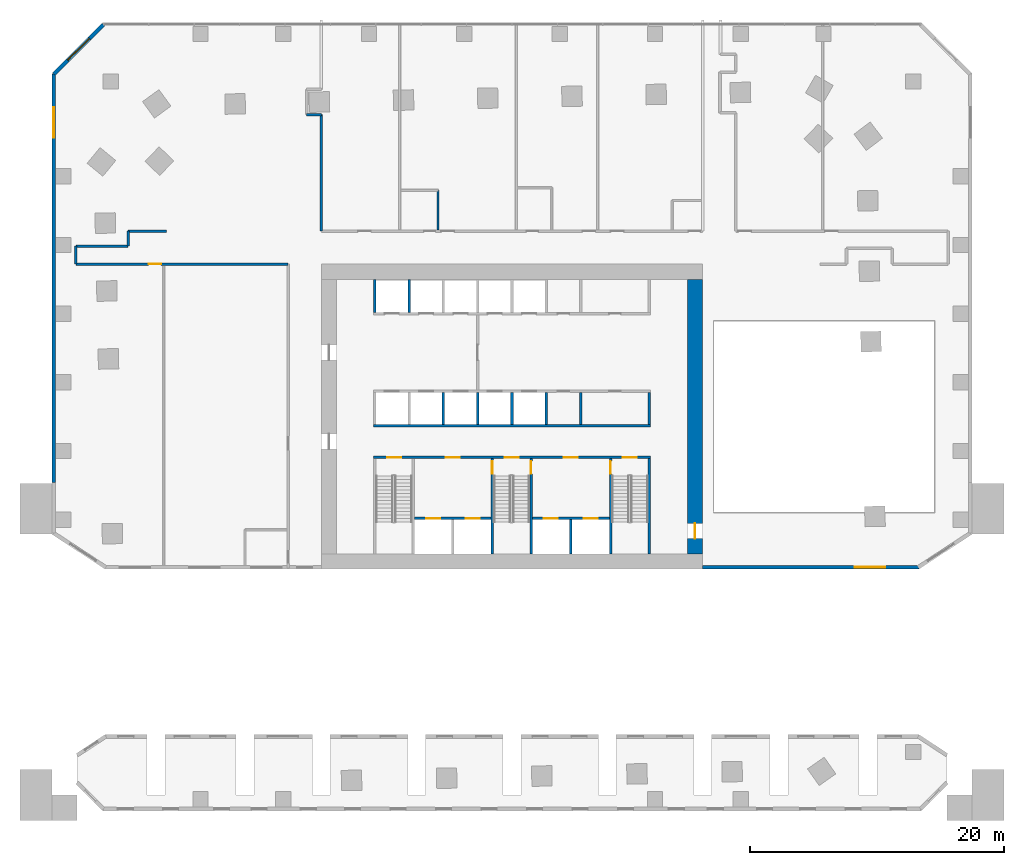
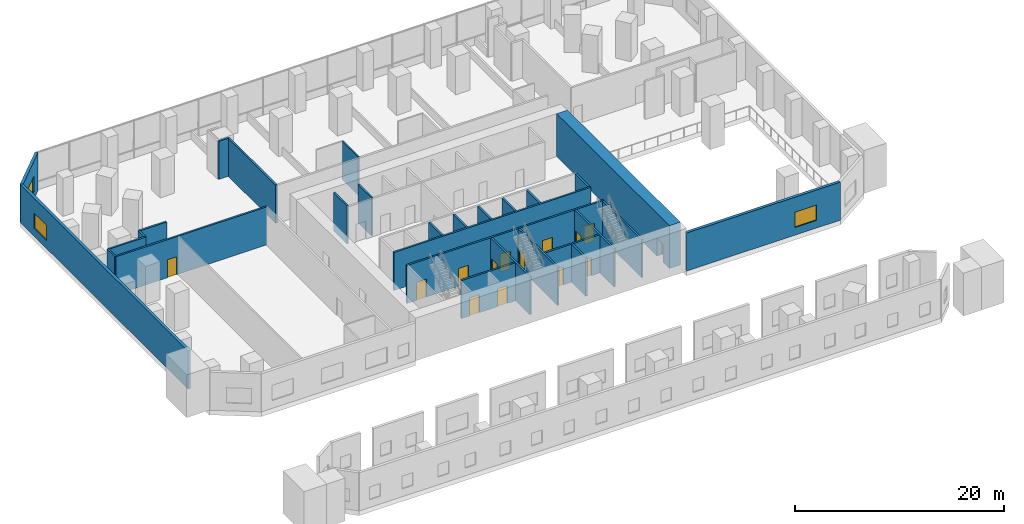
# One storey, part 7 of 11: 29 walls, 14 doors, 3 windows, 17 openings.
"""IFC4 building model written with IfcOpenShell, lengths in metres."""

from ifc_helpers import new_model, si_unit, direction, frame, frame_2d, origin, place, context, subcontext, project, spatial, rectangle, extrude, material, layer, layer_set, type_object, element, fill, save


model = new_model("IFC4")

# Units and contexts
model_context = context("Model", 3, precision=1e-05, world=origin(), true_north=direction((0.0, 1.0)))
body_context = subcontext(model_context, "Body", "Model", "MODEL_VIEW")
ifc_project = project(units=[si_unit("LENGTHUNIT", "METRE"), si_unit("AREAUNIT", "SQUARE_METRE"), si_unit("VOLUMEUNIT", "CUBIC_METRE"), si_unit("PLANEANGLEUNIT", "RADIAN"), si_unit("MASSUNIT", "GRAM", prefix="KILO")], contexts=[model_context])

# Site, building, storey
site_placement = place(None, origin())
site = spatial("IfcSite", under=ifc_project, at=site_placement, CompositionType="ELEMENT")
building_placement = place(site_placement, origin())
building = spatial("IfcBuilding", under=site, at=building_placement, Name="Mangrove Gate Tower", CompositionType="ELEMENT")
storey_placement = place(building_placement, frame((0.0, 0.0, 6.0)))
storey = spatial("IfcBuildingStorey", under=building, at=storey_placement, Name="L01", CompositionType="ELEMENT", Elevation=6.0)

# Walls
ifc_material_1 = material(Name="Concrete C32/40", Category="concrete")
ifc_layer_1 = layer(ifc_material_1, 0.199951171875)
ifc_layer_set_1 = layer_set([ifc_layer_1], Name="Core room wall 200 C32/40")
wall_type_1 = type_object("IfcWallType", Name="Core room wall 200 C32/40", PredefinedType="STANDARD", material=ifc_layer_set_1)
for number, where, z_axis, x_axis, name in (
    (1, (5.39990234375, -0.60009765625, 0.0), (0.0, 0.0, 1.0), (0.0, 1.0, 0.0), "WALL-L01-CORE-25"),
    (2, (10.800048828125, -0.60009765625, 0.0), (0.0, 0.0, 1.0), (0.0, 1.0, 0.0), "WALL-L01-CORE-26"),
):
    element("IfcWall", number, at=place(storey_placement, frame(where, z_axis=z_axis, x_axis=x_axis)), inside=storey, type_object=wall_type_1, Name=name, PredefinedType="STANDARD", context=body_context, shape_type="SweptSolid", body=[
        extrude(rectangle(XDim=2.5, YDim=0.199951171875, at=frame_2d((1.25, 0.0))), origin(), (0.0, 0.0, 1.0), 4.449951171875),
    ])
ifc_material_2 = material(Name="Concrete C70/85", Category="concrete")
ifc_layer_2 = layer(ifc_material_2, 0.199951171875)
ifc_layer_set_2 = layer_set([ifc_layer_2], Name="Core shaft wall 200 C70/85")
wall_type_2 = type_object("IfcWallType", Name="Core shaft wall 200 C70/85", PredefinedType="SHEAR", material=ifc_layer_set_2)
wall_1_placement = place(storey_placement, frame((-10.89990234375, -0.699951171875, 0.0), z_axis=(0.0, 0.0, 1.0), x_axis=(1.0, 0.0, 0.0)))
element("IfcWall", 3, at=wall_1_placement, inside=storey, type_object=wall_type_2, Name="WALL-L01-CORE-6", PredefinedType="SHEAR", context=body_context, shape_type="SweptSolid", body=[
    extrude(rectangle(XDim=21.7998046875, YDim=0.199951171875, at=frame_2d((10.89990234375, 0.0))), origin(), (0.0, 0.0, 1.0), 4.449951171875),
])

# Wall, openings, doors
wall_2_placement = place(storey_placement, frame((-7.64990234375, -8.0, 0.0), z_axis=(0.0, 0.0, 1.0), x_axis=(1.0, 0.0, 0.0)))
wall_2 = element("IfcWall", 4, at=wall_2_placement, inside=storey, type_object=wall_type_2, Name="WALL-L01-CORE-15", PredefinedType="SHEAR", context=body_context, shape_type="SweptSolid", body=[
    extrude(rectangle(XDim=6.0, YDim=0.199951171875, at=frame_2d((3.0, 0.0))), origin(), (0.0, 0.0, 1.0), 4.449951171875),
])
opening_1_placement = place(wall_2_placement, frame((0.89990234375, 0.0, 0.0)))
opening_1 = element("IfcOpeningElement", 5, at=opening_1_placement, cuts=wall_2, Name="Opening LD", PredefinedType="OPENING", context=body_context, shape_type="SweptSolid", body=[
    extrude(rectangle(XDim=1.10009765625, YDim=2.10009765625, at=frame_2d((0.550048828125, 1.050048828125))), frame((0.0, 0.10986328125, 0.0), z_axis=(0.0, -1.0, 0.0), x_axis=(1.0, 0.0, 0.0)), (0.0, 0.0, 1.0), 0.219970703125),
])
opening_2_placement = place(wall_2_placement, frame((4.0, 0.0, 0.0)))
opening_2 = element("IfcOpeningElement", 6, at=opening_2_placement, cuts=wall_2, Name="Opening LD", PredefinedType="OPENING", context=body_context, shape_type="SweptSolid", body=[
    extrude(rectangle(XDim=1.10009765625, YDim=2.10009765625, at=frame_2d((0.550048828125, 1.050048828125))), frame((0.0, 0.10986328125, 0.0), z_axis=(0.0, -1.0, 0.0), x_axis=(1.0, 0.0, 0.0)), (0.0, 0.0, 1.0), 0.219970703125),
])
ifc_material_3 = material(Name="Stainless steel 316", Category="steel")
door_type_1 = type_object("IfcDoorType", Name="Lift landing door 1100x2100", OperationType="SLIDING_TO_LEFT", PredefinedType="DOOR", material=ifc_material_3)
door_1_placement = place(opening_1_placement, origin())
door_1 = element("IfcDoor", 7, at=door_1_placement, inside=storey, type_object=door_type_1, Name="Landing door LD SVL1", OperationType="SLIDING_TO_LEFT", OverallHeight=2.10009765625, OverallWidth=1.10009765625, PredefinedType="DOOR", context=body_context, shape_type="SweptSolid", body=[
    extrude(rectangle(XDim=1.10009765625, YDim=2.10009765625, at=frame_2d((0.550048828125, 1.050048828125))), frame((0.0, 0.02490234375, 0.0), z_axis=(0.0, -1.0, 0.0), x_axis=(1.0, 0.0, 0.0)), (0.0, 0.0, 1.0), 0.050048828125),
])
fill(opening_1, door_1)
door_2_placement = place(opening_2_placement, origin())
door_2 = element("IfcDoor", 8, at=door_2_placement, inside=storey, type_object=door_type_1, Name="Landing door LD SVL2", OperationType="SLIDING_TO_LEFT", OverallHeight=2.10009765625, OverallWidth=1.10009765625, PredefinedType="DOOR", context=body_context, shape_type="SweptSolid", body=[
    extrude(rectangle(XDim=1.10009765625, YDim=2.10009765625, at=frame_2d((0.550048828125, 1.050048828125))), frame((0.0, 0.02490234375, 0.0), z_axis=(0.0, -1.0, 0.0), x_axis=(1.0, 0.0, 0.0)), (0.0, 0.0, 1.0), 0.050048828125),
])
fill(opening_2, door_2)

wall_3_placement = place(storey_placement, frame((1.60009765625, -8.0, 0.0), z_axis=(0.0, 0.0, 1.0), x_axis=(1.0, 0.0, 0.0)))
wall_3 = element("IfcWall", 9, at=wall_3_placement, inside=storey, type_object=wall_type_2, Name="WALL-L01-CORE-17", PredefinedType="SHEAR", context=body_context, shape_type="SweptSolid", body=[
    extrude(rectangle(XDim=6.0498046875, YDim=0.199951171875, at=frame_2d((3.02490234375, 0.0))), origin(), (0.0, 0.0, 1.0), 4.449951171875),
])
opening_3_placement = place(wall_3_placement, frame((0.91259765625, 0.0, 0.0)))
opening_3 = element("IfcOpeningElement", 10, at=opening_3_placement, cuts=wall_3, Name="Opening LD", PredefinedType="OPENING", context=body_context, shape_type="SweptSolid", body=[
    extrude(rectangle(XDim=1.10009765625, YDim=2.10009765625, at=frame_2d((0.550048828125, 1.050048828125))), frame((0.0, 0.10986328125, 0.0), z_axis=(0.0, -1.0, 0.0), x_axis=(1.0, 0.0, 0.0)), (0.0, 0.0, 1.0), 0.219970703125),
])
opening_4_placement = place(wall_3_placement, frame((4.03759765625, 0.0, 0.0)))
opening_4 = element("IfcOpeningElement", 11, at=opening_4_placement, cuts=wall_3, Name="Opening LD", PredefinedType="OPENING", context=body_context, shape_type="SweptSolid", body=[
    extrude(rectangle(XDim=1.10009765625, YDim=2.10009765625, at=frame_2d((0.550048828125, 1.050048828125))), frame((0.0, 0.10986328125, 0.0), z_axis=(0.0, -1.0, 0.0), x_axis=(1.0, 0.0, 0.0)), (0.0, 0.0, 1.0), 0.219970703125),
])
door_3_placement = place(opening_3_placement, origin())
door_3 = element("IfcDoor", 12, at=door_3_placement, inside=storey, type_object=door_type_1, Name="Landing door LD FFL1", OperationType="SLIDING_TO_LEFT", OverallHeight=2.10009765625, OverallWidth=1.10009765625, PredefinedType="DOOR", context=body_context, shape_type="SweptSolid", body=[
    extrude(rectangle(XDim=1.10009765625, YDim=2.10009765625, at=frame_2d((0.550048828125, 1.050048828125))), frame((0.0, 0.02490234375, 0.0), z_axis=(0.0, -1.0, 0.0), x_axis=(1.0, 0.0, 0.0)), (0.0, 0.0, 1.0), 0.050048828125),
])
fill(opening_3, door_3)
door_4_placement = place(opening_4_placement, origin())
door_4 = element("IfcDoor", 13, at=door_4_placement, inside=storey, type_object=door_type_1, Name="Landing door LD FFL2", OperationType="SLIDING_TO_LEFT", OverallHeight=2.10009765625, OverallWidth=1.10009765625, PredefinedType="DOOR", context=body_context, shape_type="SweptSolid", body=[
    extrude(rectangle(XDim=1.10009765625, YDim=2.10009765625, at=frame_2d((0.550048828125, 1.050048828125))), frame((0.0, 0.02490234375, 0.0), z_axis=(0.0, -1.0, 0.0), x_axis=(1.0, 0.0, 0.0)), (0.0, 0.0, 1.0), 0.050048828125),
])
fill(opening_4, door_4)

# Walls
wall_4_placement = place(storey_placement, frame((4.625, -10.800048828125, 0.0), z_axis=(0.0, 0.0, 1.0), x_axis=(0.0, 1.0, 0.0)))
element("IfcWall", 14, at=wall_4_placement, inside=storey, type_object=wall_type_2, Name="WALL-L01-CORE-18", PredefinedType="SHEAR", context=body_context, shape_type="SweptSolid", body=[
    extrude(rectangle(XDim=2.699951171875, YDim=0.199951171875, at=frame_2d((1.35009765625, 0.0))), origin(), (0.0, 0.0, 1.0), 4.449951171875),
])
for number, where, z_axis, x_axis, name in (
    (15, (-5.39990234375, -0.60009765625, 0.0), (0.0, 0.0, 1.0), (0.0, 1.0, 0.0), "WALL-L01-CORE-21"),
    (16, (-2.699951171875, -0.60009765625, 0.0), (0.0, 0.0, 1.0), (0.0, 1.0, 0.0), "WALL-L01-CORE-22"),
    (17, (0.0, -0.60009765625, 0.0), (0.0, 0.0, 1.0), (0.0, 1.0, 0.0), "WALL-L01-CORE-23"),
    (18, (2.699951171875, -0.60009765625, 0.0), (0.0, 0.0, 1.0), (0.0, 1.0, 0.0), "WALL-L01-CORE-24"),
):
    element("IfcWall", number, at=place(storey_placement, frame(where, z_axis=z_axis, x_axis=x_axis)), inside=storey, type_object=wall_type_2, Name=name, PredefinedType="SHEAR", context=body_context, shape_type="SweptSolid", body=[
        extrude(rectangle(XDim=2.5, YDim=0.199951171875, at=frame_2d((1.25, 0.0))), origin(), (0.0, 0.0, 1.0), 4.449951171875),
    ])
for number, where, z_axis, x_axis, name in (
    (19, (-10.800048828125, 8.199951171875, 0.0), (0.0, 0.0, 1.0), (0.0, 1.0, 0.0), "WALL-L01-CORE-27"),
    (20, (-8.10009765625, 8.199951171875, 0.0), (0.0, 0.0, 1.0), (0.0, 1.0, 0.0), "WALL-L01-CORE-28"),
):
    element("IfcWall", number, at=place(storey_placement, frame(where, z_axis=z_axis, x_axis=x_axis)), inside=storey, type_object=wall_type_2, Name=name, PredefinedType="SHEAR", context=body_context, shape_type="SweptSolid", body=[
        extrude(rectangle(XDim=2.60009765625, YDim=0.199951171875, at=frame_2d((1.300048828125, 0.0))), origin(), (0.0, 0.0, 1.0), 4.449951171875),
    ])

# Wall, openings, doors
ifc_material_4 = material(Name="Concrete C70/85", Category="concrete")
ifc_layer_3 = layer(ifc_material_4, 0.199951171875)
ifc_layer_set_3 = layer_set([ifc_layer_3], Name="Core stair wall 200 C70/85")
wall_type_3 = type_object("IfcWallType", Name="Core stair wall 200 C70/85", PredefinedType="SHEAR", material=ifc_layer_set_3)
wall_5_placement = place(storey_placement, frame((-10.89990234375, -3.199951171875, 0.0), z_axis=(0.0, 0.0, 1.0), x_axis=(1.0, 0.0, 0.0)))
wall_5 = element("IfcWall", 21, at=wall_5_placement, inside=storey, type_object=wall_type_3, Name="WALL-L01-CORE-5", PredefinedType="SHEAR", context=body_context, shape_type="SweptSolid", body=[
    extrude(rectangle(XDim=21.7998046875, YDim=0.199951171875, at=frame_2d((10.89990234375, 0.0))), origin(), (0.0, 0.0, 1.0), 4.449951171875),
])
opening_5_placement = place(wall_5_placement, frame((1.074951171875, 0.0, 0.0)))
opening_5 = element("IfcOpeningElement", 22, at=opening_5_placement, cuts=wall_5, Name="Opening STD11", PredefinedType="OPENING", context=body_context, shape_type="SweptSolid", body=[
    extrude(rectangle(XDim=1.10009765625, YDim=2.10009765625, at=frame_2d((0.550048828125, 1.050048828125))), frame((0.0, 0.10986328125, 0.0), z_axis=(0.0, -1.0, 0.0), x_axis=(1.0, 0.0, 0.0)), (0.0, 0.0, 1.0), 0.219970703125),
])
opening_6_placement = place(wall_5_placement, frame((10.324951171875, 0.0, 0.0)))
opening_6 = element("IfcOpeningElement", 23, at=opening_6_placement, cuts=wall_5, Name="Opening STD11", PredefinedType="OPENING", context=body_context, shape_type="SweptSolid", body=[
    extrude(rectangle(XDim=1.10009765625, YDim=2.10009765625, at=frame_2d((0.550048828125, 1.050048828125))), frame((0.0, 0.10986328125, 0.0), z_axis=(0.0, -1.0, 0.0), x_axis=(1.0, 0.0, 0.0)), (0.0, 0.0, 1.0), 0.219970703125),
])
opening_7_placement = place(wall_5_placement, frame((19.625, 0.0, 0.0)))
opening_7 = element("IfcOpeningElement", 24, at=opening_7_placement, cuts=wall_5, Name="Opening STD11", PredefinedType="OPENING", context=body_context, shape_type="SweptSolid", body=[
    extrude(rectangle(XDim=1.10009765625, YDim=2.10009765625, at=frame_2d((0.550048828125, 1.050048828125))), frame((0.0, 0.10986328125, 0.0), z_axis=(0.0, -1.0, 0.0), x_axis=(1.0, 0.0, 0.0)), (0.0, 0.0, 1.0), 0.219970703125),
])
opening_8_placement = place(wall_5_placement, frame((5.699951171875, 0.0, 0.0)))
opening_8 = element("IfcOpeningElement", 25, at=opening_8_placement, cuts=wall_5, Name="Opening FL", PredefinedType="OPENING", context=body_context, shape_type="SweptSolid", body=[
    extrude(rectangle(XDim=1.10009765625, YDim=2.10009765625, at=frame_2d((0.550048828125, 1.050048828125))), frame((0.0, 0.10986328125, 0.0), z_axis=(0.0, -1.0, 0.0), x_axis=(1.0, 0.0, 0.0)), (0.0, 0.0, 1.0), 0.219970703125),
])
opening_9_placement = place(wall_5_placement, frame((14.97509765625, 0.0, 0.0)))
opening_9 = element("IfcOpeningElement", 26, at=opening_9_placement, cuts=wall_5, Name="Opening FL", PredefinedType="OPENING", context=body_context, shape_type="SweptSolid", body=[
    extrude(rectangle(XDim=1.10009765625, YDim=2.10009765625, at=frame_2d((0.550048828125, 1.050048828125))), frame((0.0, 0.10986328125, 0.0), z_axis=(0.0, -1.0, 0.0), x_axis=(1.0, 0.0, 0.0)), (0.0, 0.0, 1.0), 0.219970703125),
])
ifc_material_5 = material(Name="Fire-rated steel door set", Category="steel")
door_type_2 = type_object("IfcDoorType", Name="Lobby door FD60 1100x2100", OperationType="SINGLE_SWING_LEFT", PredefinedType="DOOR", material=ifc_material_5)
door_5_placement = place(opening_8_placement, origin())
door_5 = element("IfcDoor", 27, at=door_5_placement, inside=storey, type_object=door_type_2, Name="Lobby door service lobby", OperationType="SINGLE_SWING_LEFT", OverallHeight=2.10009765625, OverallWidth=1.10009765625, PredefinedType="DOOR", context=body_context, shape_type="SweptSolid", body=[
    extrude(rectangle(XDim=1.10009765625, YDim=2.10009765625, at=frame_2d((0.550048828125, 1.050048828125))), frame((0.0, 0.02490234375, 0.0), z_axis=(0.0, -1.0, 0.0), x_axis=(1.0, 0.0, 0.0)), (0.0, 0.0, 1.0), 0.050048828125),
])
fill(opening_8, door_5)
door_6_placement = place(opening_9_placement, origin())
door_6 = element("IfcDoor", 28, at=door_6_placement, inside=storey, type_object=door_type_2, Name="Lobby door fire-fighting lobby", OperationType="SINGLE_SWING_LEFT", OverallHeight=2.10009765625, OverallWidth=1.10009765625, PredefinedType="DOOR", context=body_context, shape_type="SweptSolid", body=[
    extrude(rectangle(XDim=1.10009765625, YDim=2.10009765625, at=frame_2d((0.550048828125, 1.050048828125))), frame((0.0, 0.02490234375, 0.0), z_axis=(0.0, -1.0, 0.0), x_axis=(1.0, 0.0, 0.0)), (0.0, 0.0, 1.0), 0.050048828125),
])
fill(opening_9, door_6)
ifc_material_6 = material(Name="Fire-rated steel door set", Category="steel")
door_type_3 = type_object("IfcDoorType", Name="Stair door FD60 1100x2100", OperationType="SINGLE_SWING_RIGHT", PredefinedType="DOOR", material=ifc_material_6)
door_7_placement = place(opening_5_placement, origin())
door_7 = element("IfcDoor", 29, at=door_7_placement, inside=storey, type_object=door_type_3, Name="Stair door Stair 1", OperationType="SINGLE_SWING_RIGHT", OverallHeight=2.10009765625, OverallWidth=1.10009765625, PredefinedType="DOOR", context=body_context, shape_type="SweptSolid", body=[
    extrude(rectangle(XDim=1.10009765625, YDim=2.10009765625, at=frame_2d((0.550048828125, 1.050048828125))), frame((0.0, 0.02490234375, 0.0), z_axis=(0.0, -1.0, 0.0), x_axis=(1.0, 0.0, 0.0)), (0.0, 0.0, 1.0), 0.050048828125),
])
fill(opening_5, door_7)
door_8_placement = place(opening_6_placement, origin())
door_8 = element("IfcDoor", 30, at=door_8_placement, inside=storey, type_object=door_type_3, Name="Stair door Stair 2", OperationType="SINGLE_SWING_RIGHT", OverallHeight=2.10009765625, OverallWidth=1.10009765625, PredefinedType="DOOR", context=body_context, shape_type="SweptSolid", body=[
    extrude(rectangle(XDim=1.10009765625, YDim=2.10009765625, at=frame_2d((0.550048828125, 1.050048828125))), frame((0.0, 0.02490234375, 0.0), z_axis=(0.0, -1.0, 0.0), x_axis=(1.0, 0.0, 0.0)), (0.0, 0.0, 1.0), 0.050048828125),
])
fill(opening_6, door_8)
door_9_placement = place(opening_7_placement, origin())
door_9 = element("IfcDoor", 31, at=door_9_placement, inside=storey, type_object=door_type_3, Name="Stair door Stair 3", OperationType="SINGLE_SWING_RIGHT", OverallHeight=2.10009765625, OverallWidth=1.10009765625, PredefinedType="DOOR", context=body_context, shape_type="SweptSolid", body=[
    extrude(rectangle(XDim=1.10009765625, YDim=2.10009765625, at=frame_2d((0.550048828125, 1.050048828125))), frame((0.0, 0.02490234375, 0.0), z_axis=(0.0, -1.0, 0.0), x_axis=(1.0, 0.0, 0.0)), (0.0, 0.0, 1.0), 0.050048828125),
])
fill(opening_7, door_9)

# Wall, opening, door
wall_6_placement = place(storey_placement, frame((-1.550048828125, -10.800048828125, 0.0), z_axis=(0.0, 0.0, 1.0), x_axis=(0.0, 1.0, 0.0)))
wall_6 = element("IfcWall", 32, at=wall_6_placement, inside=storey, type_object=wall_type_3, Name="WALL-L01-CORE-11", PredefinedType="SHEAR", context=body_context, shape_type="SweptSolid", body=[
    extrude(rectangle(XDim=7.5, YDim=0.199951171875, at=frame_2d((3.75, 0.0))), origin(), (0.0, 0.0, 1.0), 4.449951171875),
])
opening_10_placement = place(wall_6_placement, frame((6.300048828125, 0.0, 0.0)))
opening_10 = element("IfcOpeningElement", 33, at=opening_10_placement, cuts=wall_6, Name="Opening STD10", PredefinedType="OPENING", context=body_context, shape_type="SweptSolid", body=[
    extrude(rectangle(XDim=1.0, YDim=2.10009765625, at=frame_2d((0.5, 1.050048828125))), frame((0.0, 0.10986328125, 0.0), z_axis=(0.0, -1.0, 0.0), x_axis=(1.0, 0.0, 0.0)), (0.0, 0.0, 1.0), 0.219970703125),
])
ifc_material_7 = material(Name="Fire-rated steel door set", Category="steel")
door_type_4 = type_object("IfcDoorType", Name="Stair door FD60 1000x2100", OperationType="SINGLE_SWING_RIGHT", PredefinedType="DOOR", material=ifc_material_7)
door_10_placement = place(opening_10_placement, origin())
door_10 = element("IfcDoor", 34, at=door_10_placement, inside=storey, type_object=door_type_4, Name="Stair door Stair 2 from service lobby", OperationType="SINGLE_SWING_RIGHT", OverallHeight=2.10009765625, OverallWidth=1.0, PredefinedType="DOOR", context=body_context, shape_type="SweptSolid", body=[
    extrude(rectangle(XDim=1.0, YDim=2.10009765625, at=frame_2d((0.5, 1.050048828125))), frame((0.0, 0.02490234375, 0.0), z_axis=(0.0, -1.0, 0.0), x_axis=(1.0, 0.0, 0.0)), (0.0, 0.0, 1.0), 0.050048828125),
])
fill(opening_10, door_10)

wall_7_placement = place(storey_placement, frame((1.5, -10.800048828125, 0.0), z_axis=(0.0, 0.0, 1.0), x_axis=(0.0, 1.0, 0.0)))
wall_7 = element("IfcWall", 35, at=wall_7_placement, inside=storey, type_object=wall_type_3, Name="WALL-L01-CORE-12", PredefinedType="SHEAR", context=body_context, shape_type="SweptSolid", body=[
    extrude(rectangle(XDim=7.5, YDim=0.199951171875, at=frame_2d((3.75, 0.0))), origin(), (0.0, 0.0, 1.0), 4.449951171875),
])
opening_11_placement = place(wall_7_placement, frame((6.300048828125, 0.0, 0.0)))
opening_11 = element("IfcOpeningElement", 36, at=opening_11_placement, cuts=wall_7, Name="Opening STD10", PredefinedType="OPENING", context=body_context, shape_type="SweptSolid", body=[
    extrude(rectangle(XDim=1.0, YDim=2.10009765625, at=frame_2d((0.5, 1.050048828125))), frame((0.0, 0.10986328125, 0.0), z_axis=(0.0, -1.0, 0.0), x_axis=(1.0, 0.0, 0.0)), (0.0, 0.0, 1.0), 0.219970703125),
])
door_11_placement = place(opening_11_placement, origin())
door_11 = element("IfcDoor", 37, at=door_11_placement, inside=storey, type_object=door_type_4, Name="Stair door Stair 2 from fire-fighting lobby", OperationType="SINGLE_SWING_RIGHT", OverallHeight=2.10009765625, OverallWidth=1.0, PredefinedType="DOOR", context=body_context, shape_type="SweptSolid", body=[
    extrude(rectangle(XDim=1.0, YDim=2.10009765625, at=frame_2d((0.5, 1.050048828125))), frame((0.0, 0.02490234375, 0.0), z_axis=(0.0, -1.0, 0.0), x_axis=(1.0, 0.0, 0.0)), (0.0, 0.0, 1.0), 0.050048828125),
])
fill(opening_11, door_11)

wall_8_placement = place(storey_placement, frame((7.75, -10.800048828125, 0.0), z_axis=(0.0, 0.0, 1.0), x_axis=(0.0, 1.0, 0.0)))
wall_8 = element("IfcWall", 38, at=wall_8_placement, inside=storey, type_object=wall_type_3, Name="WALL-L01-CORE-13", PredefinedType="SHEAR", context=body_context, shape_type="SweptSolid", body=[
    extrude(rectangle(XDim=7.5, YDim=0.199951171875, at=frame_2d((3.75, 0.0))), origin(), (0.0, 0.0, 1.0), 4.449951171875),
])
opening_12_placement = place(wall_8_placement, frame((6.300048828125, 0.0, 0.0)))
opening_12 = element("IfcOpeningElement", 39, at=opening_12_placement, cuts=wall_8, Name="Opening STD10", PredefinedType="OPENING", context=body_context, shape_type="SweptSolid", body=[
    extrude(rectangle(XDim=1.0, YDim=2.10009765625, at=frame_2d((0.5, 1.050048828125))), frame((0.0, 0.10986328125, 0.0), z_axis=(0.0, -1.0, 0.0), x_axis=(1.0, 0.0, 0.0)), (0.0, 0.0, 1.0), 0.219970703125),
])
door_12_placement = place(opening_12_placement, origin())
door_12 = element("IfcDoor", 40, at=door_12_placement, inside=storey, type_object=door_type_4, Name="Stair door Stair 3 from fire-fighting lobby", OperationType="SINGLE_SWING_RIGHT", OverallHeight=2.10009765625, OverallWidth=1.0, PredefinedType="DOOR", context=body_context, shape_type="SweptSolid", body=[
    extrude(rectangle(XDim=1.0, YDim=2.10009765625, at=frame_2d((0.5, 1.050048828125))), frame((0.0, 0.02490234375, 0.0), z_axis=(0.0, -1.0, 0.0), x_axis=(1.0, 0.0, 0.0)), (0.0, 0.0, 1.0), 0.050048828125),
])
fill(opening_12, door_12)

# Wall
wall_9_placement = place(storey_placement, frame((10.800048828125, -10.800048828125, 0.0), z_axis=(0.0, 0.0, 1.0), x_axis=(0.0, 1.0, 0.0)))
element("IfcWall", 41, at=wall_9_placement, inside=storey, type_object=wall_type_3, Name="WALL-L01-CORE-14", PredefinedType="SHEAR", context=body_context, shape_type="SweptSolid", body=[
    extrude(rectangle(XDim=7.5, YDim=0.199951171875, at=frame_2d((3.75, 0.0))), origin(), (0.0, 0.0, 1.0), 4.449951171875),
])

# Wall, opening, door
ifc_material_8 = material(Name="Concrete C70/85", Category="concrete")
ifc_layer_4 = layer(ifc_material_8, 1.199951171875)
ifc_layer_set_4 = layer_set([ifc_layer_4], Name="Core wall 1200 C70/85")
wall_type_4 = type_object("IfcWallType", Name="Core wall 1200 C70/85", PredefinedType="SHEAR", material=ifc_layer_set_4)
wall_10_placement = place(storey_placement, frame((14.39990234375, -10.800048828125, 0.0), z_axis=(0.0, 0.0, 1.0), x_axis=(0.0, 1.0, 0.0)))
wall_10 = element("IfcWall", 42, at=wall_10_placement, inside=storey, type_object=wall_type_4, Name="WALL-L01-CORE-4", PredefinedType="SHEAR", context=body_context, shape_type="SweptSolid", body=[
    extrude(rectangle(XDim=21.60009765625, YDim=1.199951171875, at=frame_2d((10.800048828125, 0.0))), origin(), (0.0, 0.0, 1.0), 5.0),
])
opening_13_placement = place(wall_10_placement, frame((1.199951171875, 0.0, 0.0)))
opening_13 = element("IfcOpeningElement", 43, at=opening_13_placement, cuts=wall_10, Name="Opening CD", PredefinedType="OPENING", context=body_context, shape_type="SweptSolid", body=[
    extrude(rectangle(XDim=1.199951171875, YDim=2.10009765625, at=frame_2d((0.60009765625, 1.050048828125))), frame((0.0, 0.60986328125, 0.0), z_axis=(0.0, -1.0, 0.0), x_axis=(1.0, 0.0, 0.0)), (0.0, 0.0, 1.0), 1.219970703125),
])
ifc_material_9 = material(Name="Fire-rated steel door set", Category="steel")
door_type_5 = type_object("IfcDoorType", Name="Core ring door FD60 1200x2100", OperationType="DOUBLE_DOOR_SINGLE_SWING", PredefinedType="DOOR", material=ifc_material_9)
door_13_placement = place(opening_13_placement, origin())
door_13 = element("IfcDoor", 44, at=door_13_placement, inside=storey, type_object=door_type_5, Name="Core ring door E1", OperationType="DOUBLE_DOOR_SINGLE_SWING", OverallHeight=2.10009765625, OverallWidth=1.199951171875, PredefinedType="DOOR", context=body_context, shape_type="SweptSolid", body=[
    extrude(rectangle(XDim=1.199951171875, YDim=2.10009765625, at=frame_2d((0.60009765625, 1.050048828125))), frame((0.0, 0.02490234375, 0.0), z_axis=(0.0, -1.0, 0.0), x_axis=(1.0, 0.0, 0.0)), (0.0, 0.0, 1.0), 0.050048828125),
])
fill(opening_13, door_13)

ifc_material_10 = material(Name="Gypsum board on steel stud, EI 60", Category="steel")
ifc_layer_5 = layer(ifc_material_10, 0.199951171875)
ifc_layer_set_5 = layer_set([ifc_layer_5], Name="Corridor wall EI 60")
wall_type_5 = type_object("IfcWallType", Name="Corridor wall EI 60", PredefinedType="PARTITIONING", material=ifc_layer_set_5)
wall_11_placement = place(storey_placement, frame((-34.300048828125, 12.0, 0.0), z_axis=(0.0, 0.0, 1.0), x_axis=(1.0, 0.0, 0.0)))
wall_11 = element("IfcWall", 45, at=wall_11_placement, inside=storey, type_object=wall_type_5, Name="WALL-L01-005", PredefinedType="PARTITIONING", context=body_context, shape_type="SweptSolid", body=[
    extrude(rectangle(XDim=16.699951171875, YDim=0.199951171875, at=frame_2d((8.35009765625, 0.0))), origin(), (0.0, 0.0, 1.0), 4.449951171875),
])
opening_14_placement = place(wall_11_placement, frame((5.7099609375, 0.0, 0.0)))
opening_14 = element("IfcOpeningElement", 46, at=opening_14_placement, cuts=wall_11, Name="Opening AD", PredefinedType="OPENING", context=body_context, shape_type="SweptSolid", body=[
    extrude(rectangle(XDim=1.0, YDim=2.10009765625, at=frame_2d((0.5, 1.050048828125))), frame((0.0, 0.10986328125, 0.0), z_axis=(0.0, -1.0, 0.0), x_axis=(1.0, 0.0, 0.0)), (0.0, 0.0, 1.0), 0.219970703125),
])
ifc_material_11 = material(Name="Timber door leaf", Category="wood")
door_type_6 = type_object("IfcDoorType", Name="Amenity door 1000", OperationType="SINGLE_SWING_LEFT", PredefinedType="DOOR", material=ifc_material_11)
door_14_placement = place(opening_14_placement, origin())
door_14 = element("IfcDoor", 47, at=door_14_placement, inside=storey, type_object=door_type_6, Name="DOOR-L01-POD-02", OperationType="SINGLE_SWING_RIGHT", OverallHeight=2.10009765625, OverallWidth=1.0, PredefinedType="DOOR", context=body_context, shape_type="SweptSolid", body=[
    extrude(rectangle(XDim=1.0, YDim=2.10009765625, at=frame_2d((0.5, 1.050048828125))), frame((0.0, 0.02490234375, 0.0), z_axis=(0.0, -1.0, 0.0), x_axis=(1.0, 0.0, 0.0)), (0.0, 0.0, 1.0), 0.050048828125),
])
fill(opening_14, door_14)

# Walls
wall_12_placement = place(storey_placement, frame((-34.300048828125, 12.0, 0.0), z_axis=(0.0, 0.0, 1.0), x_axis=(0.0, 1.0, 0.0)))
element("IfcWall", 48, at=wall_12_placement, inside=storey, type_object=wall_type_5, Name="WALL-L01-006", PredefinedType="PARTITIONING", context=body_context, shape_type="SweptSolid", body=[
    extrude(rectangle(XDim=1.423095703125, YDim=0.199951171875, at=frame_2d((0.71142578125, 0.0))), origin(), (0.0, 0.0, 1.0), 4.449951171875),
])
wall_13_placement = place(storey_placement, frame((-34.300048828125, 13.419921875, 0.0), z_axis=(0.0, 0.0, 1.0), x_axis=(1.0, 0.0, 0.0)))
element("IfcWall", 49, at=wall_13_placement, inside=storey, type_object=wall_type_5, Name="WALL-L01-013", PredefinedType="PARTITIONING", context=body_context, shape_type="SweptSolid", body=[
    extrude(rectangle(XDim=4.110107421875, YDim=0.199951171875, at=frame_2d((2.05517578125, 0.0))), origin(), (0.0, 0.0, 1.0), 4.449951171875),
])
wall_14_placement = place(storey_placement, frame((-30.18994140625, 13.423095703125, 0.0), z_axis=(0.0, 0.0, 1.0), x_axis=(0.0, 1.0, 0.0)))
element("IfcWall", 50, at=wall_14_placement, inside=storey, type_object=wall_type_5, Name="WALL-L01-014", PredefinedType="PARTITIONING", context=body_context, shape_type="SweptSolid", body=[
    extrude(rectangle(XDim=1.177001953125, YDim=0.199951171875, at=frame_2d((0.58837890625, 0.0))), origin(), (0.0, 0.0, 1.0), 4.449951171875),
])
wall_15_placement = place(storey_placement, frame((-30.18994140625, 14.60009765625, 0.0), z_axis=(0.0, 0.0, 1.0), x_axis=(1.0, 0.0, 0.0)))
element("IfcWall", 51, at=wall_15_placement, inside=storey, type_object=wall_type_5, Name="WALL-L01-015", PredefinedType="PARTITIONING", context=body_context, shape_type="SweptSolid", body=[
    extrude(rectangle(XDim=3.00390625, YDim=0.199951171875, at=frame_2d((1.501953125, 0.0))), origin(), (0.0, 0.0, 1.0), 4.449951171875),
])
wall_16_placement = place(storey_placement, frame((-15.0, 14.60009765625, 0.0), z_axis=(0.0, 0.0, 1.0), x_axis=(0.0, 1.0, 0.0)))
element("IfcWall", 52, at=wall_16_placement, inside=storey, type_object=wall_type_5, Name="WALL-L01-017", PredefinedType="PARTITIONING", context=body_context, shape_type="SweptSolid", body=[
    extrude(rectangle(XDim=9.14892578125, YDim=0.199951171875, at=frame_2d((4.574462890625, 0.0))), origin(), (0.0, 0.0, 1.0), 4.449951171875),
])
wall_17_placement = place(storey_placement, frame((-16.153076171875, 23.75, 0.0), z_axis=(0.0, 0.0, 1.0), x_axis=(1.0, 0.0, 0.0)))
element("IfcWall", 53, at=wall_17_placement, inside=storey, type_object=wall_type_5, Name="WALL-L01-032", PredefinedType="PARTITIONING", context=body_context, shape_type="SweptSolid", body=[
    extrude(rectangle(XDim=1.153076171875, YDim=0.199951171875, at=frame_2d((0.57666015625, 0.0))), origin(), (0.0, 0.0, 1.0), 4.449951171875),
])

# Wall, opening, window
ifc_material_12 = material(Name="Limestone", Category="masonry")
ifc_layer_6 = layer(ifc_material_12, 0.0400390625, Name="Limestone cladding")
ifc_material_13 = material(Name="Ventilated air gap")
ifc_layer_7 = layer(ifc_material_13, 0.0400390625, Name="Ventilated cavity")
ifc_material_14 = material(Name="Mineral wool insulation")
ifc_layer_8 = layer(ifc_material_14, 0.06005859375, Name="Insulation")
ifc_material_15 = material(Name="Breather membrane")
ifc_layer_9 = layer(ifc_material_15, 0.001953125, Name="Breather membrane")
ifc_material_16 = material(Name="Concrete C20/25 blockwork", Category="masonry")
ifc_layer_10 = layer(ifc_material_16, 0.14990234375, Name="Blockwork backing wall")
ifc_material_17 = material(Name="Gypsum plaster")
ifc_layer_11 = layer(ifc_material_17, 0.008056640625, Name="Internal plaster")
ifc_layer_set_6 = layer_set([ifc_layer_6, ifc_layer_7, ifc_layer_8, ifc_layer_9, ifc_layer_10, ifc_layer_11], Name="External wall 300 limestone cladding")
wall_type_6 = type_object("IfcWallType", Name="External wall 300 limestone cladding", PredefinedType="SOLIDWALL", material=ifc_layer_set_6)
wall_18_placement = place(storey_placement, frame((15.0, -11.85009765625, 0.0), z_axis=(0.0, 0.0, 1.0), x_axis=(1.0, 0.0, 0.0)))
wall_18 = element("IfcWall", 54, at=wall_18_placement, inside=storey, type_object=wall_type_6, Name="WALL-L01-S8", PredefinedType="SOLIDWALL", context=body_context, shape_type="SweptSolid", body=[
    extrude(rectangle(XDim=17.0, YDim=0.300048828125, at=frame_2d((8.5, 0.0))), origin(), (0.0, 0.0, 1.0), 4.449951171875),
])
opening_15_placement = place(wall_18_placement, frame((11.970947265625, 0.0, 0.89990234375)))
opening_15 = element("IfcOpeningElement", 55, at=opening_15_placement, cuts=wall_18, Name="Opening W3", PredefinedType="OPENING", context=body_context, shape_type="SweptSolid", body=[
    extrude(rectangle(XDim=2.39990234375, YDim=1.800048828125, at=frame_2d((1.199951171875, 0.89990234375))), frame((0.0, 0.159912109375, 0.0), z_axis=(0.0, -1.0, 0.0), x_axis=(1.0, 0.0, 0.0)), (0.0, 0.0, 1.0), 0.320068359375),
])
ifc_material_18 = material(Name="Aluminium frame with double-glazed low-e glass", Category="aluminium")
window_type = type_object("IfcWindowType", Name="Podium window 2400x1800", PartitioningType="DOUBLE_PANEL_VERTICAL", PredefinedType="WINDOW", material=ifc_material_18)
window_1_placement = place(opening_15_placement, origin())
window_1 = element("IfcWindow", 56, at=window_1_placement, inside=storey, type_object=window_type, Name="WIN-L01-S8-1", OverallHeight=1.800048828125, OverallWidth=2.39990234375, PartitioningType="DOUBLE_PANEL_VERTICAL", PredefinedType="WINDOW", context=body_context, shape_type="SweptSolid", body=[
    extrude(rectangle(XDim=2.39990234375, YDim=1.800048828125, at=frame_2d((1.199951171875, 0.89990234375))), frame((0.0, 0.030029296875, 0.0), z_axis=(0.0, -1.0, 0.0), x_axis=(1.0, 0.0, 0.0)), (0.0, 0.0, 1.0), 0.06005859375),
])
fill(opening_15, window_1)

wall_19_placement = place(storey_placement, frame((-32.137939453125, 30.85009765625, 0.0), z_axis=(0.0, 0.0, 1.0), x_axis=(-0.707106781187, -0.707106781187, 0.0)))
wall_19 = element("IfcWall", 57, at=wall_19_placement, inside=storey, type_object=wall_type_6, Name="WALL-L01-N13", PredefinedType="SOLIDWALL", context=body_context, shape_type="SweptSolid", body=[
    extrude(rectangle(XDim=5.532470703125, YDim=0.300048828125, at=frame_2d((2.76611328125, 0.0))), origin(), (0.0, 0.0, 1.0), 4.449951171875),
])
opening_16_placement = place(wall_19_placement, frame((1.56591796875, 0.0, 0.89990234375)))
opening_16 = element("IfcOpeningElement", 58, at=opening_16_placement, cuts=wall_19, Name="Opening W3", PredefinedType="OPENING", context=body_context, shape_type="SweptSolid", body=[
    extrude(rectangle(XDim=2.39990234375, YDim=1.800048828125, at=frame_2d((1.199951171875, 0.89990234375))), frame((0.0, 0.159912109375, 0.0), z_axis=(0.0, -1.0, 0.0), x_axis=(1.0, 0.0, 0.0)), (0.0, 0.0, 1.0), 0.320068359375),
])
window_2_placement = place(opening_16_placement, origin())
window_2 = element("IfcWindow", 59, at=window_2_placement, inside=storey, type_object=window_type, Name="WIN-L01-N13-1", OverallHeight=1.800048828125, OverallWidth=2.39990234375, PartitioningType="DOUBLE_PANEL_VERTICAL", PredefinedType="WINDOW", context=body_context, shape_type="SweptSolid", body=[
    extrude(rectangle(XDim=2.39990234375, YDim=1.800048828125, at=frame_2d((1.199951171875, 0.89990234375))), frame((0.0, 0.030029296875, 0.0), z_axis=(0.0, -1.0, 0.0), x_axis=(1.0, 0.0, 0.0)), (0.0, 0.0, 1.0), 0.06005859375),
])
fill(opening_16, window_2)

wall_20_placement = place(storey_placement, frame((-36.050048828125, 26.93798828125, 0.0), z_axis=(0.0, 0.0, 1.0), x_axis=(0.0, -1.0, 0.0)))
wall_20 = element("IfcWall", 60, at=wall_20_placement, inside=storey, type_object=wall_type_6, Name="WALL-L01-W14", PredefinedType="SOLIDWALL", context=body_context, shape_type="SweptSolid", body=[
    extrude(rectangle(XDim=32.123046875, YDim=0.300048828125, at=frame_2d((16.0615234375, 0.0))), origin(), (0.0, 0.0, 1.0), 4.449951171875),
])
opening_17_placement = place(wall_20_placement, frame((2.587890625, 0.0, 0.89990234375)))
opening_17 = element("IfcOpeningElement", 61, at=opening_17_placement, cuts=wall_20, Name="Opening W3", PredefinedType="OPENING", context=body_context, shape_type="SweptSolid", body=[
    extrude(rectangle(XDim=2.39990234375, YDim=1.800048828125, at=frame_2d((1.199951171875, 0.89990234375))), frame((0.0, 0.159912109375, 0.0), z_axis=(0.0, -1.0, 0.0), x_axis=(1.0, 0.0, 0.0)), (0.0, 0.0, 1.0), 0.320068359375),
])
window_3_placement = place(opening_17_placement, origin())
window_3 = element("IfcWindow", 62, at=window_3_placement, inside=storey, type_object=window_type, Name="WIN-L01-W14-1", OverallHeight=1.800048828125, OverallWidth=2.39990234375, PartitioningType="DOUBLE_PANEL_VERTICAL", PredefinedType="WINDOW", context=body_context, shape_type="SweptSolid", body=[
    extrude(rectangle(XDim=2.39990234375, YDim=1.800048828125, at=frame_2d((1.199951171875, 0.89990234375))), frame((0.0, 0.030029296875, 0.0), z_axis=(0.0, -1.0, 0.0), x_axis=(1.0, 0.0, 0.0)), (0.0, 0.0, 1.0), 0.06005859375),
])
fill(opening_17, window_3)

# Wall
ifc_material_19 = material(Name="Gypsum board on steel stud, EI 60", Category="steel")
ifc_layer_12 = layer(ifc_material_19, 0.14990234375)
ifc_layer_set_7 = layer_set([ifc_layer_12], Name="Party wall 150 EI 60")
wall_type_7 = type_object("IfcWallType", Name="Party wall 150 EI 60", PredefinedType="PARTITIONING", material=ifc_layer_set_7)
wall_21_placement = place(storey_placement, frame((-5.820068359375, 14.699951171875, 0.0), z_axis=(0.0, 0.0, 1.0), x_axis=(0.0, 1.0, 0.0)))
element("IfcWall", 63, at=wall_21_placement, inside=storey, type_object=wall_type_7, Name="WALL-L01-019", PredefinedType="PARTITIONING", context=body_context, shape_type="SweptSolid", body=[
    extrude(rectangle(XDim=3.10009765625, YDim=0.14990234375, at=frame_2d((1.550048828125, 0.0))), origin(), (0.0, 0.0, 1.0), 4.449951171875),
])

save(model, "model.ifc")
